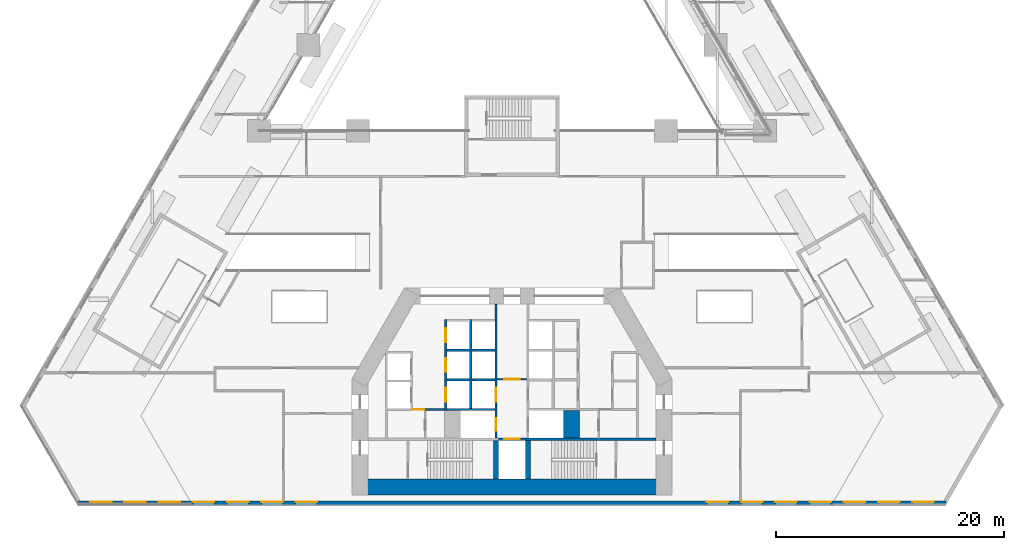
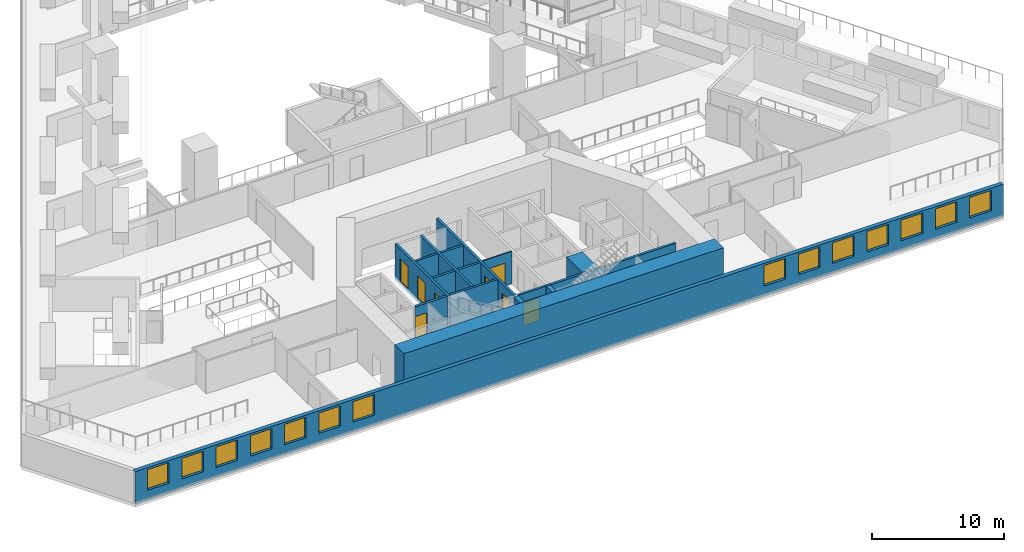
# One storey, part 8 of 19: 17 walls, 14 windows, 8 doors, 22 openings.
"""IFC4 building model written with IfcOpenShell, lengths in metres."""

from ifc_helpers import new_model, si_unit, direction, frame, frame_2d, origin, place, context, subcontext, project, spatial, rectangle, extrude, material, layer, layer_set, type_object, element, fill, save


model = new_model("IFC4")

# Units and contexts
model_context = context("Model", 3, precision=1e-05, world=origin(), true_north=direction((0.0, 1.0)))
body_context = subcontext(model_context, "Body", "Model", "MODEL_VIEW")
ifc_project = project(units=[si_unit("LENGTHUNIT", "METRE"), si_unit("AREAUNIT", "SQUARE_METRE"), si_unit("VOLUMEUNIT", "CUBIC_METRE"), si_unit("PLANEANGLEUNIT", "RADIAN"), si_unit("MASSUNIT", "GRAM", prefix="KILO")], contexts=[model_context])

# Site, building, storey
site_placement = place(None, origin())
site = spatial("IfcSite", under=ifc_project, at=site_placement, CompositionType="ELEMENT")
building_placement = place(site_placement, origin())
building = spatial("IfcBuilding", under=site, at=building_placement, Name="Fogline Exchange Tower", CompositionType="ELEMENT")
storey_placement = place(building_placement, frame((0.0, 0.0, 20.0)))
storey = spatial("IfcBuildingStorey", under=building, at=storey_placement, Name="L03", CompositionType="ELEMENT", Elevation=20.0)

# Wall, opening, door
ifc_material_1 = material(Name="Blockwork partition", Category="masonry")
ifc_layer_1 = layer(ifc_material_1, 0.10009765625)
ifc_layer_set_1 = layer_set([ifc_layer_1], Name="CW10")
wall_type_1 = type_object("IfcWallType", Name="CW10", PredefinedType="PARTITIONING", material=ifc_layer_set_1)
wall_1_placement = place(storey_placement, frame((-1.300048828125, 11.0, 0.0), z_axis=(0.0, 0.0, 1.0), x_axis=(1.0, 0.0, 0.0)))
wall_1 = element("IfcWall", 1, at=wall_1_placement, inside=storey, type_object=wall_type_1, Name="Lift lobby partition", PredefinedType="PARTITIONING", context=body_context, shape_type="SweptSolid", body=[
    extrude(rectangle(XDim=2.60009765625, YDim=0.10009765625, at=frame_2d((1.300048828125, 0.0))), origin(), (0.0, 0.0, 1.0), 3.0),
])
opening_1_placement = place(wall_1_placement, frame((0.60009765625, 0.0, 0.0)))
opening_1 = element("IfcOpeningElement", 2, at=opening_1_placement, cuts=wall_1, Name="Opening P03-C017", PredefinedType="OPENING", context=body_context, shape_type="SweptSolid", body=[
    extrude(rectangle(XDim=1.39990234375, YDim=2.10009765625, at=frame_2d((0.699951171875, 1.050048828125))), frame((0.0, 0.06005859375, 0.0), z_axis=(0.0, -1.0, 0.0), x_axis=(1.0, 0.0, 0.0)), (0.0, 0.0, 1.0), 0.1201171875),
])
ifc_material_2 = material(Name="Steel and timber fire door", Category="steel")
door_type_1 = type_object("IfcDoorType", Name="D-LB1", OperationType="DOUBLE_DOOR_SINGLE_SWING", PredefinedType="DOOR", material=ifc_material_2)
door_1_placement = place(opening_1_placement, frame((1.39990234375, 0.0, 0.0), z_axis=(0.0, 0.0, 1.0), x_axis=(-1.0, 0.0, 0.0)))
door_1 = element("IfcDoor", 3, at=door_1_placement, inside=storey, type_object=door_type_1, Name="Door to firefighting lift lobby", OperationType="DOUBLE_DOOR_SINGLE_SWING", OverallHeight=2.10009765625, OverallWidth=1.39990234375, PredefinedType="DOOR", context=body_context, shape_type="SweptSolid", body=[
    extrude(rectangle(XDim=1.39990234375, YDim=2.10009765625, at=frame_2d((0.699951171875, 1.050048828125))), frame((0.0, 0.02490234375, 0.0), z_axis=(0.0, -1.0, 0.0), x_axis=(1.0, 0.0, 0.0)), (0.0, 0.0, 1.0), 0.050048828125),
])
fill(opening_1, door_1)

# Wall
ifc_material_3 = material(Name="Concrete C60", Category="concrete")
ifc_layer_2 = layer(ifc_material_3, 1.39990234375)
ifc_layer_set_2 = layer_set([ifc_layer_2], Name="CW140")
wall_type_2 = type_object("IfcWallType", Name="CW140", PredefinedType="SOLIDWALL", material=ifc_layer_set_2)
wall_2_placement = place(storey_placement, frame((5.199951171875, 5.85009765625, -0.300048828125), z_axis=(0.0, 0.0, 1.0), x_axis=(0.0, 1.0, 0.0)))
element("IfcWall", 4, at=wall_2_placement, inside=storey, type_object=wall_type_2, Name="Lift shaft block wall", PredefinedType="SOLIDWALL", context=body_context, shape_type="SweptSolid", body=[
    extrude(rectangle(XDim=2.39990234375, YDim=1.39990234375, at=frame_2d((1.199951171875, 0.0))), origin(), (0.0, 0.0, 1.0), 3.300048828125),
])

# Wall, opening, door
ifc_material_4 = material(Name="Concrete C40", Category="concrete")
ifc_layer_3 = layer(ifc_material_4, 0.199951171875)
ifc_layer_set_3 = layer_set([ifc_layer_3], Name="CW20")
wall_type_3 = type_object("IfcWallType", Name="CW20", PredefinedType="SOLIDWALL", material=ifc_layer_set_3)
wall_3_placement = place(storey_placement, frame((-8.699951171875, 8.35009765625, 0.0), z_axis=(0.0, 0.0, 1.0), x_axis=(1.0, 0.0, 0.0)))
wall_3 = element("IfcWall", 5, at=wall_3_placement, inside=storey, type_object=wall_type_3, Name="WC wall", PredefinedType="SOLIDWALL", context=body_context, shape_type="SweptSolid", body=[
    extrude(rectangle(XDim=2.800048828125, YDim=0.199951171875, at=frame_2d((1.39990234375, 0.0))), origin(), (0.0, 0.0, 1.0), 3.0),
])
opening_2_placement = place(wall_3_placement, origin())
opening_2 = element("IfcOpeningElement", 6, at=opening_2_placement, cuts=wall_3, Name="Opening P03-C007", PredefinedType="OPENING", context=body_context, shape_type="SweptSolid", body=[
    extrude(rectangle(XDim=1.0, YDim=2.10009765625, at=frame_2d((0.5, 1.050048828125))), frame((0.0, 0.10986328125, 0.0), z_axis=(0.0, -1.0, 0.0), x_axis=(1.0, 0.0, 0.0)), (0.0, 0.0, 1.0), 0.219970703125),
])
door_type_2 = type_object("IfcDoorType", Name="D-WC1", OperationType="SINGLE_SWING_LEFT", PredefinedType="DOOR", material=ifc_material_2)
door_2_placement = place(opening_2_placement, frame((1.0, 0.0, 0.0), z_axis=(0.0, 0.0, 1.0), x_axis=(-1.0, 0.0, 0.0)))
door_2 = element("IfcDoor", 7, at=door_2_placement, inside=storey, type_object=door_type_2, Name="Door to Men's WC", OperationType="SINGLE_SWING_LEFT", OverallHeight=2.10009765625, OverallWidth=1.0, PredefinedType="DOOR", context=body_context, shape_type="SweptSolid", body=[
    extrude(rectangle(XDim=1.0, YDim=2.10009765625, at=frame_2d((0.5, 1.050048828125))), frame((0.0, 0.02490234375, 0.0), z_axis=(0.0, -1.0, 0.0), x_axis=(1.0, 0.0, 0.0)), (0.0, 0.0, 1.0), 0.050048828125),
])
fill(opening_2, door_2)

ifc_layer_4 = layer(ifc_material_4, 0.199951171875)
ifc_layer_set_4 = layer_set([ifc_layer_4], Name="CW20R")
wall_type_4 = type_object("IfcWallType", Name="CW20R", PredefinedType="SOLIDWALL", material=ifc_layer_set_4)
wall_4_placement = place(storey_placement, frame((-1.199951171875, 5.75, -0.300048828125), z_axis=(0.0, 0.0, 1.0), x_axis=(1.0, 0.0, 0.0)))
wall_4 = element("IfcWall", 8, at=wall_4_placement, inside=storey, type_object=wall_type_4, Name="Stair enclosure wall", PredefinedType="SOLIDWALL", context=body_context, shape_type="SweptSolid", body=[
    extrude(rectangle(XDim=2.39990234375, YDim=0.199951171875, at=frame_2d((1.199951171875, 0.0))), origin(), (0.0, 0.0, 1.0), 3.300048828125),
])
opening_3_placement = place(wall_4_placement, frame((0.5, 0.0, 0.300048828125)))
opening_3 = element("IfcOpeningElement", 9, at=opening_3_placement, cuts=wall_4, Name="Opening P03-LD09", PredefinedType="OPENING", context=body_context, shape_type="SweptSolid", body=[
    extrude(rectangle(XDim=1.39990234375, YDim=2.10009765625, at=frame_2d((0.699951171875, 1.050048828125))), frame((0.0, 0.10986328125, 0.0), z_axis=(0.0, -1.0, 0.0), x_axis=(1.0, 0.0, 0.0)), (0.0, 0.0, 1.0), 0.219970703125),
])
door_type_3 = type_object("IfcDoorType", Name="LD3", OperationType="SLIDING_TO_LEFT", PredefinedType="DOOR", material=ifc_material_2)
door_3_placement = place(opening_3_placement, origin())
door_3 = element("IfcDoor", 10, at=door_3_placement, inside=storey, type_object=door_type_3, Name="Landing door GL1", OperationType="SLIDING_TO_LEFT", OverallHeight=2.10009765625, OverallWidth=1.39990234375, PredefinedType="DOOR", context=body_context, shape_type="SweptSolid", body=[
    extrude(rectangle(XDim=1.39990234375, YDim=2.10009765625, at=frame_2d((0.699951171875, 1.050048828125))), frame((0.0, 0.02490234375, 0.0), z_axis=(0.0, -1.0, 0.0), x_axis=(1.0, 0.0, 0.0)), (0.0, 0.0, 1.0), 0.050048828125),
])
fill(opening_3, door_3)

# Wall
wall_5_placement = place(storey_placement, frame((1.199951171875, 5.75, -0.300048828125), z_axis=(0.0, 0.0, 1.0), x_axis=(1.0, 0.0, 0.0)))
element("IfcWall", 11, at=wall_5_placement, inside=storey, type_object=wall_type_4, Name="Stair enclosure wall", PredefinedType="SOLIDWALL", context=body_context, shape_type="SweptSolid", body=[
    extrude(rectangle(XDim=11.400146484375, YDim=0.199951171875, at=frame_2d((5.7001953125, 0.0))), origin(), (0.0, 0.0, 1.0), 3.300048828125),
])

# Wall, openings, doors
ifc_layer_5 = layer(ifc_material_4, 0.199951171875)
ifc_layer_set_5 = layer_set([ifc_layer_5], Name="CW20S")
wall_type_5 = type_object("IfcWallType", Name="CW20S", PredefinedType="SOLIDWALL", material=ifc_layer_set_5)
wall_6_placement = place(storey_placement, frame((-5.800048828125, 8.25, -0.300048828125), z_axis=(0.0, 0.0, 1.0), x_axis=(0.0, 1.0, 0.0)))
wall_6 = element("IfcWall", 12, at=wall_6_placement, inside=storey, type_object=wall_type_5, Name="Lift shaft wall", PredefinedType="SOLIDWALL", context=body_context, shape_type="SweptSolid", body=[
    extrude(rectangle(XDim=8.0, YDim=0.199951171875, at=frame_2d((4.0, 0.0))), origin(), (0.0, 0.0, 1.0), 3.300048828125),
])
opening_4_placement = place(wall_6_placement, frame((0.800048828125, 0.0, 0.300048828125)))
opening_4 = element("IfcOpeningElement", 13, at=opening_4_placement, cuts=wall_6, Name="Opening P03-LD03", PredefinedType="OPENING", context=body_context, shape_type="SweptSolid", body=[
    extrude(rectangle(XDim=1.199951171875, YDim=2.10009765625, at=frame_2d((0.60009765625, 1.050048828125))), frame((0.0, 0.10986328125, 0.0), z_axis=(0.0, -1.0, 0.0), x_axis=(1.0, 0.0, 0.0)), (0.0, 0.0, 1.0), 0.219970703125),
])
opening_5_placement = place(wall_6_placement, frame((3.39990234375, 0.0, 0.300048828125)))
opening_5 = element("IfcOpeningElement", 14, at=opening_5_placement, cuts=wall_6, Name="Opening P03-LD04", PredefinedType="OPENING", context=body_context, shape_type="SweptSolid", body=[
    extrude(rectangle(XDim=1.199951171875, YDim=2.10009765625, at=frame_2d((0.60009765625, 1.050048828125))), frame((0.0, 0.10986328125, 0.0), z_axis=(0.0, -1.0, 0.0), x_axis=(1.0, 0.0, 0.0)), (0.0, 0.0, 1.0), 0.219970703125),
])
opening_6_placement = place(wall_6_placement, frame((6.0, 0.0, 0.300048828125)))
opening_6 = element("IfcOpeningElement", 15, at=opening_6_placement, cuts=wall_6, Name="Opening P03-LD05", PredefinedType="OPENING", context=body_context, shape_type="SweptSolid", body=[
    extrude(rectangle(XDim=1.199951171875, YDim=2.10009765625, at=frame_2d((0.60009765625, 1.050048828125))), frame((0.0, 0.10986328125, 0.0), z_axis=(0.0, -1.0, 0.0), x_axis=(1.0, 0.0, 0.0)), (0.0, 0.0, 1.0), 0.219970703125),
])
door_type_4 = type_object("IfcDoorType", Name="LD1", OperationType="SLIDING_TO_LEFT", PredefinedType="DOOR", material=ifc_material_2)
door_4_placement = place(opening_4_placement, origin())
door_4 = element("IfcDoor", 16, at=door_4_placement, inside=storey, type_object=door_type_4, Name="Landing door LR3", OperationType="SLIDING_TO_LEFT", OverallHeight=2.10009765625, OverallWidth=1.199951171875, PredefinedType="DOOR", context=body_context, shape_type="SweptSolid", body=[
    extrude(rectangle(XDim=1.199951171875, YDim=2.10009765625, at=frame_2d((0.60009765625, 1.050048828125))), frame((0.0, 0.02490234375, 0.0), z_axis=(0.0, -1.0, 0.0), x_axis=(1.0, 0.0, 0.0)), (0.0, 0.0, 1.0), 0.050048828125),
])
fill(opening_4, door_4)
door_5_placement = place(opening_5_placement, origin())
door_5 = element("IfcDoor", 17, at=door_5_placement, inside=storey, type_object=door_type_4, Name="Landing door LR4", OperationType="SLIDING_TO_LEFT", OverallHeight=2.10009765625, OverallWidth=1.199951171875, PredefinedType="DOOR", context=body_context, shape_type="SweptSolid", body=[
    extrude(rectangle(XDim=1.199951171875, YDim=2.10009765625, at=frame_2d((0.60009765625, 1.050048828125))), frame((0.0, 0.02490234375, 0.0), z_axis=(0.0, -1.0, 0.0), x_axis=(1.0, 0.0, 0.0)), (0.0, 0.0, 1.0), 0.050048828125),
])
fill(opening_5, door_5)
door_6_placement = place(opening_6_placement, origin())
door_6 = element("IfcDoor", 18, at=door_6_placement, inside=storey, type_object=door_type_4, Name="Landing door LR5", OperationType="SLIDING_TO_LEFT", OverallHeight=2.10009765625, OverallWidth=1.199951171875, PredefinedType="DOOR", context=body_context, shape_type="SweptSolid", body=[
    extrude(rectangle(XDim=1.199951171875, YDim=2.10009765625, at=frame_2d((0.60009765625, 1.050048828125))), frame((0.0, 0.02490234375, 0.0), z_axis=(0.0, -1.0, 0.0), x_axis=(1.0, 0.0, 0.0)), (0.0, 0.0, 1.0), 0.050048828125),
])
fill(opening_6, door_6)

# Wall
wall_7_placement = place(storey_placement, frame((-3.60009765625, 8.449951171875, -0.300048828125), z_axis=(0.0, 0.0, 1.0), x_axis=(0.0, 1.0, 0.0)))
element("IfcWall", 19, at=wall_7_placement, inside=storey, type_object=wall_type_5, Name="Lift shaft wall", PredefinedType="SOLIDWALL", context=body_context, shape_type="SweptSolid", body=[
    extrude(rectangle(XDim=7.800048828125, YDim=0.199951171875, at=frame_2d((3.89990234375, 0.0))), origin(), (0.0, 0.0, 1.0), 3.300048828125),
])

# Wall, openings, doors
wall_8_placement = place(storey_placement, frame((-1.39990234375, 5.85009765625, -0.300048828125), z_axis=(0.0, 0.0, 1.0), x_axis=(0.0, 1.0, 0.0)))
wall_8 = element("IfcWall", 20, at=wall_8_placement, inside=storey, type_object=wall_type_5, Name="Lift lobby wall", PredefinedType="SOLIDWALL", context=body_context, shape_type="SweptSolid", body=[
    extrude(rectangle(XDim=11.75, YDim=0.199951171875, at=frame_2d((5.875, 0.0))), origin(), (0.0, 0.0, 1.0), 3.300048828125),
])
opening_7_placement = place(wall_8_placement, frame((3.199951171875, 0.0, 0.300048828125)))
opening_7 = element("IfcOpeningElement", 21, at=opening_7_placement, cuts=wall_8, Name="Opening P03-LD06", PredefinedType="OPENING", context=body_context, shape_type="SweptSolid", body=[
    extrude(rectangle(XDim=1.199951171875, YDim=2.10009765625, at=frame_2d((0.60009765625, 1.050048828125))), frame((0.0, 0.10986328125, 0.0), z_axis=(0.0, -1.0, 0.0), x_axis=(1.0, 0.0, 0.0)), (0.0, 0.0, 1.0), 0.219970703125),
])
opening_8_placement = place(wall_8_placement, frame((0.64990234375, 0.0, 0.300048828125)))
opening_8 = element("IfcOpeningElement", 22, at=opening_8_placement, cuts=wall_8, Name="Opening P03-LD07", PredefinedType="OPENING", context=body_context, shape_type="SweptSolid", body=[
    extrude(rectangle(XDim=1.10009765625, YDim=2.10009765625, at=frame_2d((0.550048828125, 1.050048828125))), frame((0.0, 0.10986328125, 0.0), z_axis=(0.0, -1.0, 0.0), x_axis=(1.0, 0.0, 0.0)), (0.0, 0.0, 1.0), 0.219970703125),
])
door_7_placement = place(opening_7_placement, origin())
door_7 = element("IfcDoor", 23, at=door_7_placement, inside=storey, type_object=door_type_4, Name="Landing door LR6", OperationType="SLIDING_TO_LEFT", OverallHeight=2.10009765625, OverallWidth=1.199951171875, PredefinedType="DOOR", context=body_context, shape_type="SweptSolid", body=[
    extrude(rectangle(XDim=1.199951171875, YDim=2.10009765625, at=frame_2d((0.60009765625, 1.050048828125))), frame((0.0, 0.02490234375, 0.0), z_axis=(0.0, -1.0, 0.0), x_axis=(1.0, 0.0, 0.0)), (0.0, 0.0, 1.0), 0.050048828125),
])
fill(opening_7, door_7)
door_type_5 = type_object("IfcDoorType", Name="LD2", OperationType="SLIDING_TO_RIGHT", PredefinedType="DOOR", material=ifc_material_2)
door_8_placement = place(opening_8_placement, origin())
door_8 = element("IfcDoor", 24, at=door_8_placement, inside=storey, type_object=door_type_5, Name="Landing door FF1", OperationType="SLIDING_TO_RIGHT", OverallHeight=2.10009765625, OverallWidth=1.10009765625, PredefinedType="DOOR", context=body_context, shape_type="SweptSolid", body=[
    extrude(rectangle(XDim=1.10009765625, YDim=2.10009765625, at=frame_2d((0.550048828125, 1.050048828125))), frame((0.0, 0.02490234375, 0.0), z_axis=(0.0, -1.0, 0.0), x_axis=(1.0, 0.0, 0.0)), (0.0, 0.0, 1.0), 0.050048828125),
])
fill(opening_8, door_8)

# Walls
wall_9_placement = place(storey_placement, frame((-5.699951171875, 8.35009765625, -0.300048828125), z_axis=(0.0, 0.0, 1.0), x_axis=(1.0, 0.0, 0.0)))
element("IfcWall", 25, at=wall_9_placement, inside=storey, type_object=wall_type_5, Name="Lift shaft wall", PredefinedType="SOLIDWALL", context=body_context, shape_type="SweptSolid", body=[
    extrude(rectangle(XDim=4.199951171875, YDim=0.199951171875, at=frame_2d((2.10009765625, 0.0))), origin(), (0.0, 0.0, 1.0), 3.300048828125),
])
for number, where, z_axis, x_axis, name in (
    (26, (-5.699951171875, 10.949951171875, -0.300048828125), (0.0, 0.0, 1.0), (1.0, 0.0, 0.0), "Lift shaft wall"),
    (27, (-5.699951171875, 13.550048828125, -0.300048828125), (0.0, 0.0, 1.0), (1.0, 0.0, 0.0), "Lift shaft wall"),
    (28, (-3.5, 10.949951171875, -0.300048828125), (0.0, 0.0, 1.0), (1.0, 0.0, 0.0), "Lift shaft wall"),
    (29, (-3.5, 13.550048828125, -0.300048828125), (0.0, 0.0, 1.0), (1.0, 0.0, 0.0), "Lift shaft wall"),
):
    element("IfcWall", number, at=place(storey_placement, frame(where, z_axis=z_axis, x_axis=x_axis)), inside=storey, type_object=wall_type_5, Name=name, PredefinedType="SOLIDWALL", context=body_context, shape_type="SweptSolid", body=[
        extrude(rectangle(XDim=2.0, YDim=0.199951171875, at=frame_2d((1.0, 0.0))), origin(), (0.0, 0.0, 1.0), 3.300048828125),
    ])
ifc_layer_6 = layer(ifc_material_4, 0.39990234375)
ifc_layer_set_6 = layer_set([ifc_layer_6], Name="CW40R")
wall_type_6 = type_object("IfcWallType", Name="CW40R", PredefinedType="SOLIDWALL", material=ifc_layer_set_6)
for number, where, z_axis, x_axis, name in (
    (30, (-1.39990234375, 2.25, -0.300048828125), (0.0, 0.0, 1.0), (0.0, 1.0, 0.0), "Stair and lift shaft wall"),
    (31, (1.39990234375, 2.25, -0.300048828125), (0.0, 0.0, 1.0), (0.0, 1.0, 0.0), "Stair and lift shaft wall"),
):
    element("IfcWall", number, at=place(storey_placement, frame(where, z_axis=z_axis, x_axis=x_axis)), inside=storey, type_object=wall_type_6, Name=name, PredefinedType="SOLIDWALL", context=body_context, shape_type="SweptSolid", body=[
        extrude(rectangle(XDim=3.39990234375, YDim=0.39990234375, at=frame_2d((1.699951171875, 0.0))), origin(), (0.0, 0.0, 1.0), 3.300048828125),
    ])

# Wall, openings, windows
ifc_material_5 = material(Name="Brick masonry", Category="masonry")
ifc_layer_7 = layer(ifc_material_5, 0.340087890625)
ifc_layer_set_7 = layer_set([ifc_layer_7], Name="FW1")
wall_type_7 = type_object("IfcWallType", Name="FW1", PredefinedType="SOLIDWALL", material=ifc_layer_set_7)
wall_10_placement = place(storey_placement, frame((-38.0, 0.169921875, 0.0), z_axis=(0.0, 0.0, 1.0), x_axis=(1.0, 0.0, 0.0)))
wall_10 = element("IfcWall", 32, at=wall_10_placement, inside=storey, type_object=wall_type_7, Name="Brick wall L03 S", PredefinedType="SOLIDWALL", context=body_context, shape_type="SweptSolid", body=[
    extrude(rectangle(XDim=76.0, YDim=0.340087890625, at=frame_2d((38.0, 0.0))), origin(), (0.0, 0.0, 1.0), 3.0),
])
opening_9_placement = place(wall_10_placement, frame((1.0576171875, 0.0, 0.89990234375)))
opening_9 = element("IfcOpeningElement", 33, at=opening_9_placement, cuts=wall_10, Name="Opening W9", PredefinedType="OPENING", context=body_context, shape_type="SweptSolid", body=[
    extrude(rectangle(XDim=1.885009765625, YDim=1.89990234375, at=frame_2d((0.9423828125, 0.949951171875))), frame((0.0, 0.18017578125, 0.0), z_axis=(0.0, -1.0, 0.0), x_axis=(1.0, 0.0, 0.0)), (0.0, 0.0, 1.0), 0.360107421875),
])
opening_10_placement = place(wall_10_placement, frame((4.0576171875, 0.0, 0.89990234375)))
opening_10 = element("IfcOpeningElement", 34, at=opening_10_placement, cuts=wall_10, Name="Opening W9", PredefinedType="OPENING", context=body_context, shape_type="SweptSolid", body=[
    extrude(rectangle(XDim=1.885009765625, YDim=1.89990234375, at=frame_2d((0.9423828125, 0.949951171875))), frame((0.0, 0.18017578125, 0.0), z_axis=(0.0, -1.0, 0.0), x_axis=(1.0, 0.0, 0.0)), (0.0, 0.0, 1.0), 0.360107421875),
])
opening_11_placement = place(wall_10_placement, frame((7.0576171875, 0.0, 0.89990234375)))
opening_11 = element("IfcOpeningElement", 35, at=opening_11_placement, cuts=wall_10, Name="Opening W9", PredefinedType="OPENING", context=body_context, shape_type="SweptSolid", body=[
    extrude(rectangle(XDim=1.885009765625, YDim=1.89990234375, at=frame_2d((0.9423828125, 0.949951171875))), frame((0.0, 0.18017578125, 0.0), z_axis=(0.0, -1.0, 0.0), x_axis=(1.0, 0.0, 0.0)), (0.0, 0.0, 1.0), 0.360107421875),
])
opening_12_placement = place(wall_10_placement, frame((10.0576171875, 0.0, 0.89990234375)))
opening_12 = element("IfcOpeningElement", 36, at=opening_12_placement, cuts=wall_10, Name="Opening W9", PredefinedType="OPENING", context=body_context, shape_type="SweptSolid", body=[
    extrude(rectangle(XDim=1.885009765625, YDim=1.89990234375, at=frame_2d((0.9423828125, 0.949951171875))), frame((0.0, 0.18017578125, 0.0), z_axis=(0.0, -1.0, 0.0), x_axis=(1.0, 0.0, 0.0)), (0.0, 0.0, 1.0), 0.360107421875),
])
opening_13_placement = place(wall_10_placement, frame((13.0576171875, 0.0, 0.89990234375)))
opening_13 = element("IfcOpeningElement", 37, at=opening_13_placement, cuts=wall_10, Name="Opening W9", PredefinedType="OPENING", context=body_context, shape_type="SweptSolid", body=[
    extrude(rectangle(XDim=1.885009765625, YDim=1.89990234375, at=frame_2d((0.9423828125, 0.949951171875))), frame((0.0, 0.18017578125, 0.0), z_axis=(0.0, -1.0, 0.0), x_axis=(1.0, 0.0, 0.0)), (0.0, 0.0, 1.0), 0.360107421875),
])
opening_14_placement = place(wall_10_placement, frame((16.0576171875, 0.0, 0.89990234375)))
opening_14 = element("IfcOpeningElement", 38, at=opening_14_placement, cuts=wall_10, Name="Opening W9", PredefinedType="OPENING", context=body_context, shape_type="SweptSolid", body=[
    extrude(rectangle(XDim=1.885009765625, YDim=1.89990234375, at=frame_2d((0.9423828125, 0.949951171875))), frame((0.0, 0.18017578125, 0.0), z_axis=(0.0, -1.0, 0.0), x_axis=(1.0, 0.0, 0.0)), (0.0, 0.0, 1.0), 0.360107421875),
])
opening_15_placement = place(wall_10_placement, frame((19.0576171875, 0.0, 0.89990234375)))
opening_15 = element("IfcOpeningElement", 39, at=opening_15_placement, cuts=wall_10, Name="Opening W9", PredefinedType="OPENING", context=body_context, shape_type="SweptSolid", body=[
    extrude(rectangle(XDim=1.885009765625, YDim=1.89990234375, at=frame_2d((0.9423828125, 0.949951171875))), frame((0.0, 0.18017578125, 0.0), z_axis=(0.0, -1.0, 0.0), x_axis=(1.0, 0.0, 0.0)), (0.0, 0.0, 1.0), 0.360107421875),
])
opening_16_placement = place(wall_10_placement, frame((55.0576171875, 0.0, 0.89990234375)))
opening_16 = element("IfcOpeningElement", 40, at=opening_16_placement, cuts=wall_10, Name="Opening W9", PredefinedType="OPENING", context=body_context, shape_type="SweptSolid", body=[
    extrude(rectangle(XDim=1.885009765625, YDim=1.89990234375, at=frame_2d((0.9423828125, 0.949951171875))), frame((0.0, 0.18017578125, 0.0), z_axis=(0.0, -1.0, 0.0), x_axis=(1.0, 0.0, 0.0)), (0.0, 0.0, 1.0), 0.360107421875),
])
opening_17_placement = place(wall_10_placement, frame((58.0576171875, 0.0, 0.89990234375)))
opening_17 = element("IfcOpeningElement", 41, at=opening_17_placement, cuts=wall_10, Name="Opening W9", PredefinedType="OPENING", context=body_context, shape_type="SweptSolid", body=[
    extrude(rectangle(XDim=1.885009765625, YDim=1.89990234375, at=frame_2d((0.9423828125, 0.949951171875))), frame((0.0, 0.18017578125, 0.0), z_axis=(0.0, -1.0, 0.0), x_axis=(1.0, 0.0, 0.0)), (0.0, 0.0, 1.0), 0.360107421875),
])
opening_18_placement = place(wall_10_placement, frame((61.0576171875, 0.0, 0.89990234375)))
opening_18 = element("IfcOpeningElement", 42, at=opening_18_placement, cuts=wall_10, Name="Opening W9", PredefinedType="OPENING", context=body_context, shape_type="SweptSolid", body=[
    extrude(rectangle(XDim=1.885009765625, YDim=1.89990234375, at=frame_2d((0.9423828125, 0.949951171875))), frame((0.0, 0.18017578125, 0.0), z_axis=(0.0, -1.0, 0.0), x_axis=(1.0, 0.0, 0.0)), (0.0, 0.0, 1.0), 0.360107421875),
])
opening_19_placement = place(wall_10_placement, frame((64.0576171875, 0.0, 0.89990234375)))
opening_19 = element("IfcOpeningElement", 43, at=opening_19_placement, cuts=wall_10, Name="Opening W9", PredefinedType="OPENING", context=body_context, shape_type="SweptSolid", body=[
    extrude(rectangle(XDim=1.885009765625, YDim=1.89990234375, at=frame_2d((0.9423828125, 0.949951171875))), frame((0.0, 0.18017578125, 0.0), z_axis=(0.0, -1.0, 0.0), x_axis=(1.0, 0.0, 0.0)), (0.0, 0.0, 1.0), 0.360107421875),
])
opening_20_placement = place(wall_10_placement, frame((67.0576171875, 0.0, 0.89990234375)))
opening_20 = element("IfcOpeningElement", 44, at=opening_20_placement, cuts=wall_10, Name="Opening W9", PredefinedType="OPENING", context=body_context, shape_type="SweptSolid", body=[
    extrude(rectangle(XDim=1.885009765625, YDim=1.89990234375, at=frame_2d((0.9423828125, 0.949951171875))), frame((0.0, 0.18017578125, 0.0), z_axis=(0.0, -1.0, 0.0), x_axis=(1.0, 0.0, 0.0)), (0.0, 0.0, 1.0), 0.360107421875),
])
opening_21_placement = place(wall_10_placement, frame((70.0576171875, 0.0, 0.89990234375)))
opening_21 = element("IfcOpeningElement", 45, at=opening_21_placement, cuts=wall_10, Name="Opening W9", PredefinedType="OPENING", context=body_context, shape_type="SweptSolid", body=[
    extrude(rectangle(XDim=1.885009765625, YDim=1.89990234375, at=frame_2d((0.9423828125, 0.949951171875))), frame((0.0, 0.18017578125, 0.0), z_axis=(0.0, -1.0, 0.0), x_axis=(1.0, 0.0, 0.0)), (0.0, 0.0, 1.0), 0.360107421875),
])
opening_22_placement = place(wall_10_placement, frame((73.0576171875, 0.0, 0.89990234375)))
opening_22 = element("IfcOpeningElement", 46, at=opening_22_placement, cuts=wall_10, Name="Opening W9", PredefinedType="OPENING", context=body_context, shape_type="SweptSolid", body=[
    extrude(rectangle(XDim=1.885009765625, YDim=1.89990234375, at=frame_2d((0.9423828125, 0.949951171875))), frame((0.0, 0.18017578125, 0.0), z_axis=(0.0, -1.0, 0.0), x_axis=(1.0, 0.0, 0.0)), (0.0, 0.0, 1.0), 0.360107421875),
])
ifc_material_6 = material(Name="Aluminium and glass", Category="aluminium")
window_type = type_object("IfcWindowType", Name="W9", PartitioningType="SINGLE_PANEL", PredefinedType="WINDOW", material=ifc_material_6)
window_1_placement = place(opening_9_placement, origin())
window_1 = element("IfcWindow", 47, at=window_1_placement, inside=storey, type_object=window_type, Name="W9 W9", OverallHeight=1.89990234375, OverallWidth=1.885009765625, PartitioningType="SINGLE_PANEL", PredefinedType="WINDOW", context=body_context, shape_type="SweptSolid", body=[
    extrude(rectangle(XDim=1.885009765625, YDim=1.89990234375, at=frame_2d((0.9423828125, 0.949951171875))), frame((0.0, 0.110107421875, 0.0), z_axis=(0.0, -1.0, 0.0), x_axis=(1.0, 0.0, 0.0)), (0.0, 0.0, 1.0), 0.06005859375),
])
fill(opening_9, window_1)
window_2_placement = place(opening_10_placement, origin())
window_2 = element("IfcWindow", 48, at=window_2_placement, inside=storey, type_object=window_type, Name="W9 W9", OverallHeight=1.89990234375, OverallWidth=1.885009765625, PartitioningType="SINGLE_PANEL", PredefinedType="WINDOW", context=body_context, shape_type="SweptSolid", body=[
    extrude(rectangle(XDim=1.885009765625, YDim=1.89990234375, at=frame_2d((0.9423828125, 0.949951171875))), frame((0.0, 0.110107421875, 0.0), z_axis=(0.0, -1.0, 0.0), x_axis=(1.0, 0.0, 0.0)), (0.0, 0.0, 1.0), 0.06005859375),
])
fill(opening_10, window_2)
window_3_placement = place(opening_11_placement, origin())
window_3 = element("IfcWindow", 49, at=window_3_placement, inside=storey, type_object=window_type, Name="W9 W9", OverallHeight=1.89990234375, OverallWidth=1.885009765625, PartitioningType="SINGLE_PANEL", PredefinedType="WINDOW", context=body_context, shape_type="SweptSolid", body=[
    extrude(rectangle(XDim=1.885009765625, YDim=1.89990234375, at=frame_2d((0.9423828125, 0.949951171875))), frame((0.0, 0.110107421875, 0.0), z_axis=(0.0, -1.0, 0.0), x_axis=(1.0, 0.0, 0.0)), (0.0, 0.0, 1.0), 0.06005859375),
])
fill(opening_11, window_3)
window_4_placement = place(opening_12_placement, origin())
window_4 = element("IfcWindow", 50, at=window_4_placement, inside=storey, type_object=window_type, Name="W9 W9", OverallHeight=1.89990234375, OverallWidth=1.885009765625, PartitioningType="SINGLE_PANEL", PredefinedType="WINDOW", context=body_context, shape_type="SweptSolid", body=[
    extrude(rectangle(XDim=1.885009765625, YDim=1.89990234375, at=frame_2d((0.9423828125, 0.949951171875))), frame((0.0, 0.110107421875, 0.0), z_axis=(0.0, -1.0, 0.0), x_axis=(1.0, 0.0, 0.0)), (0.0, 0.0, 1.0), 0.06005859375),
])
fill(opening_12, window_4)
window_5_placement = place(opening_13_placement, origin())
window_5 = element("IfcWindow", 51, at=window_5_placement, inside=storey, type_object=window_type, Name="W9 W9", OverallHeight=1.89990234375, OverallWidth=1.885009765625, PartitioningType="SINGLE_PANEL", PredefinedType="WINDOW", context=body_context, shape_type="SweptSolid", body=[
    extrude(rectangle(XDim=1.885009765625, YDim=1.89990234375, at=frame_2d((0.9423828125, 0.949951171875))), frame((0.0, 0.110107421875, 0.0), z_axis=(0.0, -1.0, 0.0), x_axis=(1.0, 0.0, 0.0)), (0.0, 0.0, 1.0), 0.06005859375),
])
fill(opening_13, window_5)
window_6_placement = place(opening_14_placement, origin())
window_6 = element("IfcWindow", 52, at=window_6_placement, inside=storey, type_object=window_type, Name="W9 W9", OverallHeight=1.89990234375, OverallWidth=1.885009765625, PartitioningType="SINGLE_PANEL", PredefinedType="WINDOW", context=body_context, shape_type="SweptSolid", body=[
    extrude(rectangle(XDim=1.885009765625, YDim=1.89990234375, at=frame_2d((0.9423828125, 0.949951171875))), frame((0.0, 0.110107421875, 0.0), z_axis=(0.0, -1.0, 0.0), x_axis=(1.0, 0.0, 0.0)), (0.0, 0.0, 1.0), 0.06005859375),
])
fill(opening_14, window_6)
window_7_placement = place(opening_15_placement, origin())
window_7 = element("IfcWindow", 53, at=window_7_placement, inside=storey, type_object=window_type, Name="W9 W9", OverallHeight=1.89990234375, OverallWidth=1.885009765625, PartitioningType="SINGLE_PANEL", PredefinedType="WINDOW", context=body_context, shape_type="SweptSolid", body=[
    extrude(rectangle(XDim=1.885009765625, YDim=1.89990234375, at=frame_2d((0.9423828125, 0.949951171875))), frame((0.0, 0.110107421875, 0.0), z_axis=(0.0, -1.0, 0.0), x_axis=(1.0, 0.0, 0.0)), (0.0, 0.0, 1.0), 0.06005859375),
])
fill(opening_15, window_7)
window_8_placement = place(opening_16_placement, origin())
window_8 = element("IfcWindow", 54, at=window_8_placement, inside=storey, type_object=window_type, Name="W9 W9", OverallHeight=1.89990234375, OverallWidth=1.885009765625, PartitioningType="SINGLE_PANEL", PredefinedType="WINDOW", context=body_context, shape_type="SweptSolid", body=[
    extrude(rectangle(XDim=1.885009765625, YDim=1.89990234375, at=frame_2d((0.9423828125, 0.949951171875))), frame((0.0, 0.110107421875, 0.0), z_axis=(0.0, -1.0, 0.0), x_axis=(1.0, 0.0, 0.0)), (0.0, 0.0, 1.0), 0.06005859375),
])
fill(opening_16, window_8)
window_9_placement = place(opening_17_placement, origin())
window_9 = element("IfcWindow", 55, at=window_9_placement, inside=storey, type_object=window_type, Name="W9 W9", OverallHeight=1.89990234375, OverallWidth=1.885009765625, PartitioningType="SINGLE_PANEL", PredefinedType="WINDOW", context=body_context, shape_type="SweptSolid", body=[
    extrude(rectangle(XDim=1.885009765625, YDim=1.89990234375, at=frame_2d((0.9423828125, 0.949951171875))), frame((0.0, 0.110107421875, 0.0), z_axis=(0.0, -1.0, 0.0), x_axis=(1.0, 0.0, 0.0)), (0.0, 0.0, 1.0), 0.06005859375),
])
fill(opening_17, window_9)
window_10_placement = place(opening_18_placement, origin())
window_10 = element("IfcWindow", 56, at=window_10_placement, inside=storey, type_object=window_type, Name="W9 W9", OverallHeight=1.89990234375, OverallWidth=1.885009765625, PartitioningType="SINGLE_PANEL", PredefinedType="WINDOW", context=body_context, shape_type="SweptSolid", body=[
    extrude(rectangle(XDim=1.885009765625, YDim=1.89990234375, at=frame_2d((0.9423828125, 0.949951171875))), frame((0.0, 0.110107421875, 0.0), z_axis=(0.0, -1.0, 0.0), x_axis=(1.0, 0.0, 0.0)), (0.0, 0.0, 1.0), 0.06005859375),
])
fill(opening_18, window_10)
window_11_placement = place(opening_19_placement, origin())
window_11 = element("IfcWindow", 57, at=window_11_placement, inside=storey, type_object=window_type, Name="W9 W9", OverallHeight=1.89990234375, OverallWidth=1.885009765625, PartitioningType="SINGLE_PANEL", PredefinedType="WINDOW", context=body_context, shape_type="SweptSolid", body=[
    extrude(rectangle(XDim=1.885009765625, YDim=1.89990234375, at=frame_2d((0.9423828125, 0.949951171875))), frame((0.0, 0.110107421875, 0.0), z_axis=(0.0, -1.0, 0.0), x_axis=(1.0, 0.0, 0.0)), (0.0, 0.0, 1.0), 0.06005859375),
])
fill(opening_19, window_11)
window_12_placement = place(opening_20_placement, origin())
window_12 = element("IfcWindow", 58, at=window_12_placement, inside=storey, type_object=window_type, Name="W9 W9", OverallHeight=1.89990234375, OverallWidth=1.885009765625, PartitioningType="SINGLE_PANEL", PredefinedType="WINDOW", context=body_context, shape_type="SweptSolid", body=[
    extrude(rectangle(XDim=1.885009765625, YDim=1.89990234375, at=frame_2d((0.9423828125, 0.949951171875))), frame((0.0, 0.110107421875, 0.0), z_axis=(0.0, -1.0, 0.0), x_axis=(1.0, 0.0, 0.0)), (0.0, 0.0, 1.0), 0.06005859375),
])
fill(opening_20, window_12)
window_13_placement = place(opening_21_placement, origin())
window_13 = element("IfcWindow", 59, at=window_13_placement, inside=storey, type_object=window_type, Name="W9 W9", OverallHeight=1.89990234375, OverallWidth=1.885009765625, PartitioningType="SINGLE_PANEL", PredefinedType="WINDOW", context=body_context, shape_type="SweptSolid", body=[
    extrude(rectangle(XDim=1.885009765625, YDim=1.89990234375, at=frame_2d((0.9423828125, 0.949951171875))), frame((0.0, 0.110107421875, 0.0), z_axis=(0.0, -1.0, 0.0), x_axis=(1.0, 0.0, 0.0)), (0.0, 0.0, 1.0), 0.06005859375),
])
fill(opening_21, window_13)
window_14_placement = place(opening_22_placement, origin())
window_14 = element("IfcWindow", 60, at=window_14_placement, inside=storey, type_object=window_type, Name="W9 W9", OverallHeight=1.89990234375, OverallWidth=1.885009765625, PartitioningType="SINGLE_PANEL", PredefinedType="WINDOW", context=body_context, shape_type="SweptSolid", body=[
    extrude(rectangle(XDim=1.885009765625, YDim=1.89990234375, at=frame_2d((0.9423828125, 0.949951171875))), frame((0.0, 0.110107421875, 0.0), z_axis=(0.0, -1.0, 0.0), x_axis=(1.0, 0.0, 0.0)), (0.0, 0.0, 1.0), 0.06005859375),
])
fill(opening_22, window_14)

# Wall
ifc_layer_8 = layer(ifc_material_3, 1.39990234375)
ifc_layer_set_8 = layer_set([ifc_layer_8], Name="SW01")
wall_type_8 = type_object("IfcWallType", Name="SW01", PredefinedType="SHEAR", material=ifc_layer_set_8)
wall_11_placement = place(storey_placement, frame((-14.0, 1.550048828125, 0.0), z_axis=(0.0, 0.0, 1.0), x_axis=(1.0, 0.0, 0.0)))
element("IfcWall", 61, at=wall_11_placement, inside=storey, type_object=wall_type_8, Name="L03-W901", PredefinedType="SHEAR", context=body_context, shape_type="SweptSolid", body=[
    extrude(rectangle(XDim=28.0, YDim=1.39990234375, at=frame_2d((14.0, 0.0))), origin(), (0.0, 0.0, 1.0), 5.0),
])

save(model, "model.ifc")
